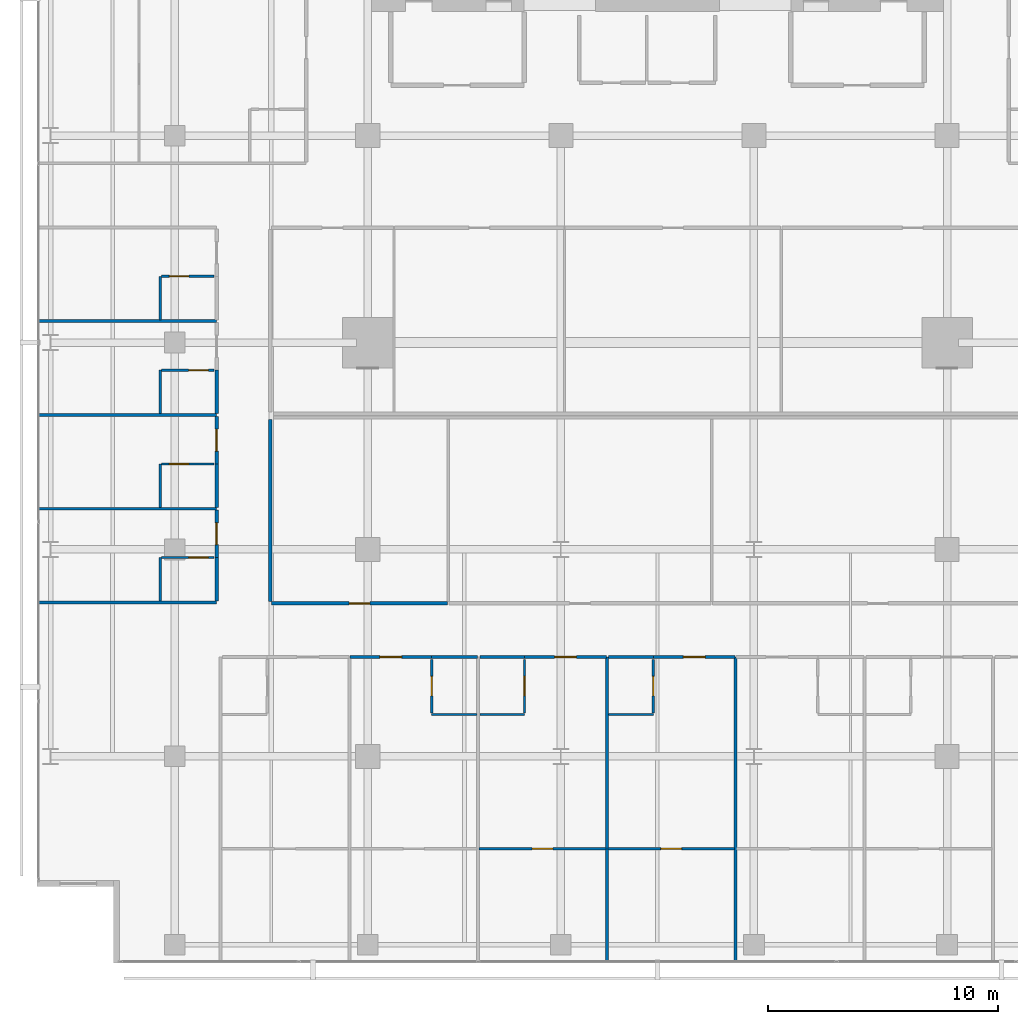
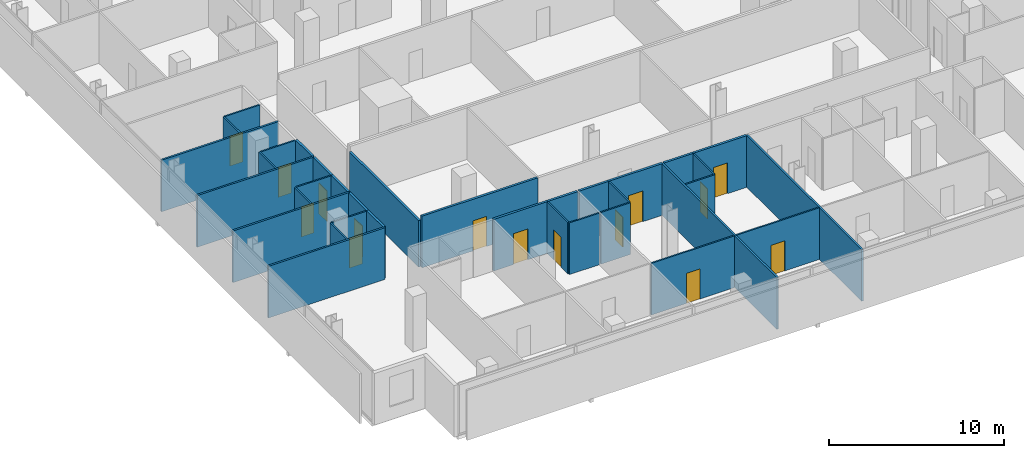
# One storey, part 33 of 41: 35 walls, 15 doors, 15 openings.
"""IFC4 building model written with IfcOpenShell, lengths in metres."""

from ifc_helpers import new_model, si_unit, direction, frame, frame_2d, origin, place, context, subcontext, project, spatial, rectangle, extrude, material, layer, layer_set, type_object, element, fill, save


model = new_model("IFC4")

# Units and contexts
model_context = context("Model", 3, precision=1e-05, world=origin(), true_north=direction((0.0, 1.0)))
body_context = subcontext(model_context, "Body", "Model", "MODEL_VIEW")
ifc_project = project(units=[si_unit("LENGTHUNIT", "METRE"), si_unit("AREAUNIT", "SQUARE_METRE"), si_unit("VOLUMEUNIT", "CUBIC_METRE"), si_unit("PLANEANGLEUNIT", "RADIAN"), si_unit("MASSUNIT", "GRAM", prefix="KILO")], contexts=[model_context])

# Site, building, storey
site_placement = place(None, origin())
site = spatial("IfcSite", under=ifc_project, at=site_placement, CompositionType="ELEMENT")
building_placement = place(site_placement, origin())
building = spatial("IfcBuilding", under=site, at=building_placement, Name="Maruvema Waterfront Hotel and Observation Tower", CompositionType="ELEMENT")
storey_placement = place(building_placement, frame((0.0, 0.0, 61.60009765625)))
storey = spatial("IfcBuildingStorey", under=building, at=storey_placement, Name="L14", CompositionType="ELEMENT", Elevation=61.60009765625)

# Wall
ifc_material_1 = material(Name="Twin-stud acoustic gypsum drywall", Category="gypsum")
ifc_layer_1 = layer(ifc_material_1, 0.14990234375, Name="Acoustic Corridor and Suite Demising Wall 150 mm")
ifc_layer_set_1 = layer_set([ifc_layer_1], Name="Twin-stud acoustic gypsum drywall")
wall_type_1 = type_object("IfcWallType", Name="Acoustic Corridor and Suite Demising Wall 150 mm", PredefinedType="PARTITIONING", material=ifc_layer_set_1)
wall_1_placement = place(storey_placement, frame((20.949951171875, 15.72998046875, 0.0), z_axis=(0.0, 0.0, 1.0), x_axis=(0.0, 1.0, 0.0)))
element("IfcWall", 1, at=wall_1_placement, inside=storey, type_object=wall_type_1, Name="L14 L14-INTS West Wall 033", PredefinedType="PARTITIONING", context=body_context, shape_type="SweptSolid", body=[
    extrude(rectangle(XDim=7.929931640625, YDim=0.14990234375, at=frame_2d((3.96484375, 0.0))), origin(), (0.0, 0.0, 1.0), 3.2548828125),
])

# Wall, opening, door
wall_2_placement = place(storey_placement, frame((21.010009765625, 15.64990234375, 0.0), z_axis=(0.0, 0.0, 1.0), x_axis=(1.0, 0.0, 0.0)))
wall_2 = element("IfcWall", 2, at=wall_2_placement, inside=storey, type_object=wall_type_1, Name="L14 L14-INTS Front 1 035", PredefinedType="PARTITIONING", context=body_context, shape_type="SweptSolid", body=[
    extrude(rectangle(XDim=7.660888671875, YDim=0.14990234375, at=frame_2d((3.83056640625, 0.0))), origin(), (0.0, 0.0, 1.0), 3.60986328125),
])
opening_1_placement = place(wall_2_placement, frame((3.380615234375, 0.0, 0.0)))
opening_1 = element("IfcOpeningElement", 3, at=opening_1_placement, cuts=wall_2, Name="Opening DR-090", PredefinedType="OPENING", context=body_context, shape_type="SweptSolid", body=[
    extrude(rectangle(XDim=0.89990234375, YDim=2.10009765625, at=frame_2d((0.449951171875, 1.050048828125))), frame((0.0, 0.0849609375, 0.0), z_axis=(0.0, -1.0, 0.0), x_axis=(1.0, 0.0, 0.0)), (0.0, 0.0, 1.0), 0.169921875),
])
ifc_material_2 = material(Name="Solid-core lacquered timber leaf", Category="wood")
door_type_1 = type_object("IfcDoorType", Name="Accessible Toilet and Room Door 900x2100 mm", OperationType="NOTDEFINED", PredefinedType="DOOR", material=ifc_material_2)
door_1_placement = place(opening_1_placement, frame((0.89990234375, 0.0, 0.0), z_axis=(0.0, 0.0, 1.0), x_axis=(-1.0, 0.0, 0.0)))
door_1 = element("IfcDoor", 4, at=door_1_placement, inside=storey, type_object=door_type_1, Name="L14 Executive Business Office Door", OperationType="SINGLE_SWING_RIGHT", OverallHeight=2.10009765625, OverallWidth=0.89990234375, PredefinedType="DOOR", context=body_context, shape_type="SweptSolid", body=[
    extrude(rectangle(XDim=0.89990234375, YDim=2.10009765625, at=frame_2d((0.449951171875, 1.050048828125))), frame((0.0, 0.02490234375, 0.0), z_axis=(0.0, -1.0, 0.0), x_axis=(1.0, 0.0, 0.0)), (0.0, 0.0, 1.0), 0.050048828125),
])
fill(opening_1, door_1)

# Wall
wall_3_placement = place(storey_placement, frame((27.97998046875, 13.320068359375, 0.0), z_axis=(0.0, 0.0, 1.0), x_axis=(1.0, 0.0, 0.0)))
element("IfcWall", 5, at=wall_3_placement, inside=storey, type_object=wall_type_1, Name="L14 Bath L14-S2 Back Wall 048", PredefinedType="PARTITIONING", context=body_context, shape_type="SweptSolid", body=[
    extrude(rectangle(XDim=2.0, YDim=0.14990234375, at=frame_2d((1.0, 0.0))), origin(), (0.0, 0.0, 1.0), 3.60986328125),
])

# Wall, opening, door
wall_4_placement = place(storey_placement, frame((24.419921875, 13.320068359375, 0.0), z_axis=(0.0, 0.0, 1.0), x_axis=(1.0, 0.0, 0.0)))
wall_4 = element("IfcWall", 6, at=wall_4_placement, inside=storey, type_object=wall_type_1, Name="L14 Unit L14-S2 Corridor Wall 051", PredefinedType="PARTITIONING", context=body_context, shape_type="SweptSolid", body=[
    extrude(rectangle(XDim=3.56005859375, YDim=0.14990234375, at=frame_2d((1.780029296875, 0.0))), origin(), (0.0, 0.0, 1.0), 3.60986328125),
])
opening_2_placement = place(wall_4_placement, frame((1.304931640625, 0.0, 0.0)))
opening_2 = element("IfcOpeningElement", 7, at=opening_2_placement, cuts=wall_4, Name="Opening DR-095", PredefinedType="OPENING", context=body_context, shape_type="SweptSolid", body=[
    extrude(rectangle(XDim=0.949951171875, YDim=2.14990234375, at=frame_2d((0.47509765625, 1.074951171875))), frame((0.0, 0.0849609375, 0.0), z_axis=(0.0, -1.0, 0.0), x_axis=(1.0, 0.0, 0.0)), (0.0, 0.0, 1.0), 0.169921875),
])
ifc_material_3 = material(Name="Acoustic solid-core hardwood timber leaf", Category="wood")
door_type_2 = type_object("IfcDoorType", Name="Guestroom Entrance Fire Door 950x2150 mm", OperationType="NOTDEFINED", PredefinedType="DOOR", material=ifc_material_3)
door_2_placement = place(opening_2_placement, frame((0.949951171875, 0.0, 0.0), z_axis=(0.0, 0.0, 1.0), x_axis=(-1.0, 0.0, 0.0)))
door_2 = element("IfcDoor", 8, at=door_2_placement, inside=storey, type_object=door_type_2, Name="L14 Unit L14-S2 Entrance Door", OperationType="SINGLE_SWING_LEFT", OverallHeight=2.14990234375, OverallWidth=0.949951171875, PredefinedType="DOOR", context=body_context, shape_type="SweptSolid", body=[
    extrude(rectangle(XDim=0.949951171875, YDim=2.14990234375, at=frame_2d((0.47509765625, 1.074951171875))), frame((0.0, 0.02490234375, 0.0), z_axis=(0.0, -1.0, 0.0), x_axis=(1.0, 0.0, 0.0)), (0.0, 0.0, 1.0), 0.050048828125),
])
fill(opening_2, door_2)

# Wall
wall_5_placement = place(storey_placement, frame((30.080078125, 13.320068359375, 0.0), z_axis=(0.0, 0.0, 1.0), x_axis=(1.0, 0.0, 0.0)))
element("IfcWall", 9, at=wall_5_placement, inside=storey, type_object=wall_type_1, Name="L14 Bath L14-S3 Back Wall 054", PredefinedType="PARTITIONING", context=body_context, shape_type="SweptSolid", body=[
    extrude(rectangle(XDim=1.93994140625, YDim=0.14990234375, at=frame_2d((0.969970703125, 0.0))), origin(), (0.0, 0.0, 1.0), 3.60986328125),
])

# Wall, opening, door
wall_6_placement = place(storey_placement, frame((32.02001953125, 13.320068359375, 0.0), z_axis=(0.0, 0.0, 1.0), x_axis=(1.0, 0.0, 0.0)))
wall_6 = element("IfcWall", 10, at=wall_6_placement, inside=storey, type_object=wall_type_1, Name="L14 Unit L14-S3 Corridor Wall 057", PredefinedType="PARTITIONING", context=body_context, shape_type="SweptSolid", body=[
    extrude(rectangle(XDim=3.56005859375, YDim=0.14990234375, at=frame_2d((1.780029296875, 0.0))), origin(), (0.0, 0.0, 1.0), 3.60986328125),
])
opening_3_placement = place(wall_6_placement, frame((1.304931640625, 0.0, 0.0)))
opening_3 = element("IfcOpeningElement", 11, at=opening_3_placement, cuts=wall_6, Name="Opening DR-095", PredefinedType="OPENING", context=body_context, shape_type="SweptSolid", body=[
    extrude(rectangle(XDim=0.949951171875, YDim=2.14990234375, at=frame_2d((0.47509765625, 1.074951171875))), frame((0.0, 0.0849609375, 0.0), z_axis=(0.0, -1.0, 0.0), x_axis=(1.0, 0.0, 0.0)), (0.0, 0.0, 1.0), 0.169921875),
])
door_3_placement = place(opening_3_placement, frame((0.949951171875, 0.0, 0.0), z_axis=(0.0, 0.0, 1.0), x_axis=(-1.0, 0.0, 0.0)))
door_3 = element("IfcDoor", 12, at=door_3_placement, inside=storey, type_object=door_type_2, Name="L14 Unit L14-S3 Entrance Door", OperationType="SINGLE_SWING_RIGHT", OverallHeight=2.14990234375, OverallWidth=0.949951171875, PredefinedType="DOOR", context=body_context, shape_type="SweptSolid", body=[
    extrude(rectangle(XDim=0.949951171875, YDim=2.14990234375, at=frame_2d((0.47509765625, 1.074951171875))), frame((0.0, 0.02490234375, 0.0), z_axis=(0.0, -1.0, 0.0), x_axis=(1.0, 0.0, 0.0)), (0.0, 0.0, 1.0), 0.050048828125),
])
fill(opening_3, door_3)

# Wall
wall_7_placement = place(storey_placement, frame((35.679931640625, 13.320068359375, 0.0), z_axis=(0.0, 0.0, 1.0), x_axis=(1.0, 0.0, 0.0)))
element("IfcWall", 13, at=wall_7_placement, inside=storey, type_object=wall_type_1, Name="L14 Bath L14-S4 Back Wall 060", PredefinedType="PARTITIONING", context=body_context, shape_type="SweptSolid", body=[
    extrude(rectangle(XDim=1.940185546875, YDim=0.14990234375, at=frame_2d((0.97021484375, 0.0))), origin(), (0.0, 0.0, 1.0), 3.60986328125),
])

# Wall, opening, door
wall_8_placement = place(storey_placement, frame((37.6201171875, 13.320068359375, 0.0), z_axis=(0.0, 0.0, 1.0), x_axis=(1.0, 0.0, 0.0)))
wall_8 = element("IfcWall", 14, at=wall_8_placement, inside=storey, type_object=wall_type_1, Name="L14 Unit L14-S4 Corridor Wall 063", PredefinedType="PARTITIONING", context=body_context, shape_type="SweptSolid", body=[
    extrude(rectangle(XDim=3.559814453125, YDim=0.14990234375, at=frame_2d((1.77978515625, 0.0))), origin(), (0.0, 0.0, 1.0), 3.60986328125),
])
opening_4_placement = place(wall_8_placement, frame((1.304931640625, 0.0, 0.0)))
opening_4 = element("IfcOpeningElement", 15, at=opening_4_placement, cuts=wall_8, Name="Opening DR-095", PredefinedType="OPENING", context=body_context, shape_type="SweptSolid", body=[
    extrude(rectangle(XDim=0.949951171875, YDim=2.14990234375, at=frame_2d((0.47509765625, 1.074951171875))), frame((0.0, 0.0849609375, 0.0), z_axis=(0.0, -1.0, 0.0), x_axis=(1.0, 0.0, 0.0)), (0.0, 0.0, 1.0), 0.169921875),
])
door_4_placement = place(opening_4_placement, frame((0.949951171875, 0.0, 0.0), z_axis=(0.0, 0.0, 1.0), x_axis=(-1.0, 0.0, 0.0)))
door_4 = element("IfcDoor", 16, at=door_4_placement, inside=storey, type_object=door_type_2, Name="L14 Unit L14-S4 Entrance Door", OperationType="SINGLE_SWING_LEFT", OverallHeight=2.14990234375, OverallWidth=0.949951171875, PredefinedType="DOOR", context=body_context, shape_type="SweptSolid", body=[
    extrude(rectangle(XDim=0.949951171875, YDim=2.14990234375, at=frame_2d((0.47509765625, 1.074951171875))), frame((0.0, 0.02490234375, 0.0), z_axis=(0.0, -1.0, 0.0), x_axis=(1.0, 0.0, 0.0)), (0.0, 0.0, 1.0), 0.050048828125),
])
fill(opening_4, door_4)

# Wall
wall_9_placement = place(storey_placement, frame((18.6201171875, 15.760009765625, 0.0), z_axis=(0.0, 0.0, 1.0), x_axis=(0.0, 1.0, 0.0)))
element("IfcWall", 17, at=wall_9_placement, inside=storey, type_object=wall_type_1, Name="L14 Bath L14-W1 Wall 086", PredefinedType="PARTITIONING", context=body_context, shape_type="SweptSolid", body=[
    extrude(rectangle(XDim=1.889892578125, YDim=0.14990234375, at=frame_2d((0.94482421875, 0.0))), origin(), (0.0, 0.0, 1.0), 3.60986328125),
])

# Wall, opening, door
wall_10_placement = place(storey_placement, frame((18.6201171875, 17.64990234375, 0.0), z_axis=(0.0, 0.0, 1.0), x_axis=(0.0, 1.0, 0.0)))
wall_10 = element("IfcWall", 18, at=wall_10_placement, inside=storey, type_object=wall_type_1, Name="L14 Room L14-W1 Corridor Wall 087", PredefinedType="PARTITIONING", context=body_context, shape_type="SweptSolid", body=[
    extrude(rectangle(XDim=2.06005859375, YDim=0.14990234375, at=frame_2d((1.030029296875, 0.0))), origin(), (0.0, 0.0, 1.0), 3.60986328125),
])
opening_5_placement = place(wall_10_placement, frame((0.554931640625, 0.0, 0.0)))
opening_5 = element("IfcOpeningElement", 19, at=opening_5_placement, cuts=wall_10, Name="Opening DR-095", PredefinedType="OPENING", context=body_context, shape_type="SweptSolid", body=[
    extrude(rectangle(XDim=0.949951171875, YDim=2.14990234375, at=frame_2d((0.47509765625, 1.074951171875))), frame((0.0, 0.0849609375, 0.0), z_axis=(0.0, -1.0, 0.0), x_axis=(1.0, 0.0, 0.0)), (0.0, 0.0, 1.0), 0.169921875),
])
door_5_placement = place(opening_5_placement, origin())
door_5 = element("IfcDoor", 20, at=door_5_placement, inside=storey, type_object=door_type_2, Name="L14 Room L14-W1 Entrance Door", OperationType="SINGLE_SWING_RIGHT", OverallHeight=2.14990234375, OverallWidth=0.949951171875, PredefinedType="DOOR", context=body_context, shape_type="SweptSolid", body=[
    extrude(rectangle(XDim=0.949951171875, YDim=2.14990234375, at=frame_2d((0.47509765625, 1.074951171875))), frame((0.0, 0.02490234375, 0.0), z_axis=(0.0, -1.0, 0.0), x_axis=(1.0, 0.0, 0.0)), (0.0, 0.0, 1.0), 0.050048828125),
])
fill(opening_5, door_5)

# Wall
wall_11_placement = place(storey_placement, frame((18.6201171875, 19.830078125, 0.0), z_axis=(0.0, 0.0, 1.0), x_axis=(0.0, 1.0, 0.0)))
element("IfcWall", 21, at=wall_11_placement, inside=storey, type_object=wall_type_1, Name="L14 Bath L14-W2 Wall 096", PredefinedType="PARTITIONING", context=body_context, shape_type="SweptSolid", body=[
    extrude(rectangle(XDim=1.889892578125, YDim=0.14990234375, at=frame_2d((0.94482421875, 0.0))), origin(), (0.0, 0.0, 1.0), 3.60986328125),
])

# Wall, opening, door
wall_12_placement = place(storey_placement, frame((18.6201171875, 21.719970703125, 0.0), z_axis=(0.0, 0.0, 1.0), x_axis=(0.0, 1.0, 0.0)))
wall_12 = element("IfcWall", 22, at=wall_12_placement, inside=storey, type_object=wall_type_1, Name="L14 Room L14-W2 Corridor Wall 097", PredefinedType="PARTITIONING", context=body_context, shape_type="SweptSolid", body=[
    extrude(rectangle(XDim=2.070068359375, YDim=0.14990234375, at=frame_2d((1.03515625, 0.0))), origin(), (0.0, 0.0, 1.0), 3.60986328125),
])
opening_6_placement = place(wall_12_placement, frame((0.56005859375, 0.0, 0.0)))
opening_6 = element("IfcOpeningElement", 23, at=opening_6_placement, cuts=wall_12, Name="Opening DR-095", PredefinedType="OPENING", context=body_context, shape_type="SweptSolid", body=[
    extrude(rectangle(XDim=0.949951171875, YDim=2.14990234375, at=frame_2d((0.47509765625, 1.074951171875))), frame((0.0, 0.0849609375, 0.0), z_axis=(0.0, -1.0, 0.0), x_axis=(1.0, 0.0, 0.0)), (0.0, 0.0, 1.0), 0.169921875),
])
door_6_placement = place(opening_6_placement, origin())
door_6 = element("IfcDoor", 24, at=door_6_placement, inside=storey, type_object=door_type_2, Name="L14 Room L14-W2 Entrance Door", OperationType="SINGLE_SWING_RIGHT", OverallHeight=2.14990234375, OverallWidth=0.949951171875, PredefinedType="DOOR", context=body_context, shape_type="SweptSolid", body=[
    extrude(rectangle(XDim=0.949951171875, YDim=2.14990234375, at=frame_2d((0.47509765625, 1.074951171875))), frame((0.0, 0.02490234375, 0.0), z_axis=(0.0, -1.0, 0.0), x_axis=(1.0, 0.0, 0.0)), (0.0, 0.0, 1.0), 0.050048828125),
])
fill(opening_6, door_6)

# Walls
wall_13_placement = place(storey_placement, frame((18.6201171875, 23.909912109375, 0.0), z_axis=(0.0, 0.0, 1.0), x_axis=(0.0, 1.0, 0.0)))
element("IfcWall", 25, at=wall_13_placement, inside=storey, type_object=wall_type_1, Name="L14 Bath L14-W3 Wall 106", PredefinedType="PARTITIONING", context=body_context, shape_type="SweptSolid", body=[
    extrude(rectangle(XDim=1.89013671875, YDim=0.14990234375, at=frame_2d((0.945068359375, 0.0))), origin(), (0.0, 0.0, 1.0), 3.60986328125),
])
ifc_material_4 = material(Name="Moisture-resistant cement-board drywall", Category="gypsum")
ifc_layer_2 = layer(ifc_material_4, 0.10009765625, Name="En-Suite Moisture-Resistant Partition 100 mm")
ifc_layer_set_2 = layer_set([ifc_layer_2], Name="Moisture-resistant cement-board drywall")
wall_type_2 = type_object("IfcWallType", Name="En-Suite Moisture-Resistant Partition 100 mm", PredefinedType="PARTITIONING", material=ifc_layer_set_2)
wall_14_placement = place(storey_placement, frame((27.97998046875, 10.820068359375, 0.0), z_axis=(0.0, 0.0, 1.0), x_axis=(1.0, 0.0, 0.0)))
element("IfcWall", 26, at=wall_14_placement, inside=storey, type_object=wall_type_2, Name="L14 En-Suite L14-S2 South 049", PredefinedType="PARTITIONING", context=body_context, shape_type="SweptSolid", body=[
    extrude(rectangle(XDim=1.97998046875, YDim=0.10009765625, at=frame_2d((0.989990234375, 0.0))), origin(), (0.0, 0.0, 1.0), 3.60986328125),
])

# Wall, opening, door
wall_15_placement = place(storey_placement, frame((27.97998046875, 10.8798828125, 0.0), z_axis=(0.0, 0.0, 1.0), x_axis=(0.0, 1.0, 0.0)))
wall_15 = element("IfcWall", 27, at=wall_15_placement, inside=storey, type_object=wall_type_2, Name="L14 En-Suite L14-S2 West 050", PredefinedType="PARTITIONING", context=body_context, shape_type="SweptSolid", body=[
    extrude(rectangle(XDim=2.340087890625, YDim=0.10009765625, at=frame_2d((1.169921875, 0.0))), origin(), (0.0, 0.0, 1.0), 3.60986328125),
])
opening_7_placement = place(wall_15_placement, frame((0.7451171875, 0.0, 0.0)))
opening_7 = element("IfcOpeningElement", 28, at=opening_7_placement, cuts=wall_15, Name="Opening DR-085", PredefinedType="OPENING", context=body_context, shape_type="SweptSolid", body=[
    extrude(rectangle(XDim=0.85009765625, YDim=2.10009765625, at=frame_2d((0.425048828125, 1.050048828125))), frame((0.0, 0.06005859375, 0.0), z_axis=(0.0, -1.0, 0.0), x_axis=(1.0, 0.0, 0.0)), (0.0, 0.0, 1.0), 0.1201171875),
])
ifc_material_5 = material(Name="Moisture-resistant solid timber leaf", Category="wood")
door_type_3 = type_object("IfcDoorType", Name="En-Suite Bathroom Door 850x2100 mm", OperationType="NOTDEFINED", PredefinedType="DOOR", material=ifc_material_5)
door_7_placement = place(opening_7_placement, origin())
door_7 = element("IfcDoor", 29, at=door_7_placement, inside=storey, type_object=door_type_3, Name="L14 En-Suite L14-S2 Door", OperationType="SINGLE_SWING_RIGHT", OverallHeight=2.10009765625, OverallWidth=0.85009765625, PredefinedType="DOOR", context=body_context, shape_type="SweptSolid", body=[
    extrude(rectangle(XDim=0.85009765625, YDim=2.10009765625, at=frame_2d((0.425048828125, 1.050048828125))), frame((0.0, 0.02490234375, 0.0), z_axis=(0.0, -1.0, 0.0), x_axis=(1.0, 0.0, 0.0)), (0.0, 0.0, 1.0), 0.050048828125),
])
fill(opening_7, door_7)

# Wall
wall_16_placement = place(storey_placement, frame((30.080078125, 10.820068359375, 0.0), z_axis=(0.0, 0.0, 1.0), x_axis=(1.0, 0.0, 0.0)))
element("IfcWall", 30, at=wall_16_placement, inside=storey, type_object=wall_type_2, Name="L14 En-Suite L14-S3 South 055", PredefinedType="PARTITIONING", context=body_context, shape_type="SweptSolid", body=[
    extrude(rectangle(XDim=1.93994140625, YDim=0.10009765625, at=frame_2d((0.969970703125, 0.0))), origin(), (0.0, 0.0, 1.0), 3.60986328125),
])

# Wall, opening, door
wall_17_placement = place(storey_placement, frame((32.02001953125, 10.8798828125, 0.0), z_axis=(0.0, 0.0, 1.0), x_axis=(0.0, 1.0, 0.0)))
wall_17 = element("IfcWall", 31, at=wall_17_placement, inside=storey, type_object=wall_type_2, Name="L14 En-Suite L14-S3 East 056", PredefinedType="PARTITIONING", context=body_context, shape_type="SweptSolid", body=[
    extrude(rectangle(XDim=2.340087890625, YDim=0.10009765625, at=frame_2d((1.169921875, 0.0))), origin(), (0.0, 0.0, 1.0), 3.60986328125),
])
opening_8_placement = place(wall_17_placement, frame((0.7451171875, 0.0, 0.0)))
opening_8 = element("IfcOpeningElement", 32, at=opening_8_placement, cuts=wall_17, Name="Opening DR-085", PredefinedType="OPENING", context=body_context, shape_type="SweptSolid", body=[
    extrude(rectangle(XDim=0.85009765625, YDim=2.10009765625, at=frame_2d((0.425048828125, 1.050048828125))), frame((0.0, 0.06005859375, 0.0), z_axis=(0.0, -1.0, 0.0), x_axis=(1.0, 0.0, 0.0)), (0.0, 0.0, 1.0), 0.1201171875),
])
door_8_placement = place(opening_8_placement, frame((0.85009765625, 0.0, 0.0), z_axis=(0.0, 0.0, 1.0), x_axis=(-1.0, 0.0, 0.0)))
door_8 = element("IfcDoor", 33, at=door_8_placement, inside=storey, type_object=door_type_3, Name="L14 En-Suite L14-S3 Door", OperationType="SINGLE_SWING_LEFT", OverallHeight=2.10009765625, OverallWidth=0.85009765625, PredefinedType="DOOR", context=body_context, shape_type="SweptSolid", body=[
    extrude(rectangle(XDim=0.85009765625, YDim=2.10009765625, at=frame_2d((0.425048828125, 1.050048828125))), frame((0.0, 0.02490234375, 0.0), z_axis=(0.0, -1.0, 0.0), x_axis=(1.0, 0.0, 0.0)), (0.0, 0.0, 1.0), 0.050048828125),
])
fill(opening_8, door_8)

wall_18_placement = place(storey_placement, frame((30.0400390625, 4.977294921875, 0.0), z_axis=(0.0, 0.0, 1.0), x_axis=(1.0, 0.0, 0.0)))
wall_18 = element("IfcWall", 34, at=wall_18_placement, inside=storey, type_object=wall_type_2, Name="L14 Suite L14-S3 Split 058", PredefinedType="PARTITIONING", context=body_context, shape_type="SweptSolid", body=[
    extrude(rectangle(XDim=5.52001953125, YDim=0.10009765625, at=frame_2d((2.760009765625, 0.0))), origin(), (0.0, 0.0, 1.0), 3.60986328125),
])
opening_9_placement = place(wall_18_placement, frame((2.31005859375, 0.0, 0.0)))
opening_9 = element("IfcOpeningElement", 35, at=opening_9_placement, cuts=wall_18, Name="Opening DR-090", PredefinedType="OPENING", context=body_context, shape_type="SweptSolid", body=[
    extrude(rectangle(XDim=0.89990234375, YDim=2.10009765625, at=frame_2d((0.449951171875, 1.050048828125))), frame((0.0, 0.06005859375, 0.0), z_axis=(0.0, -1.0, 0.0), x_axis=(1.0, 0.0, 0.0)), (0.0, 0.0, 1.0), 0.1201171875),
])
door_9_placement = place(opening_9_placement, frame((0.89990234375, 0.0, 0.0), z_axis=(0.0, 0.0, 1.0), x_axis=(-1.0, 0.0, 0.0)))
door_9 = element("IfcDoor", 36, at=door_9_placement, inside=storey, type_object=door_type_1, Name="L14 Suite L14-S3 Bedroom Door", OperationType="SINGLE_SWING_LEFT", OverallHeight=2.10009765625, OverallWidth=0.89990234375, PredefinedType="DOOR", context=body_context, shape_type="SweptSolid", body=[
    extrude(rectangle(XDim=0.89990234375, YDim=2.10009765625, at=frame_2d((0.449951171875, 1.050048828125))), frame((0.0, 0.02490234375, 0.0), z_axis=(0.0, -1.0, 0.0), x_axis=(1.0, 0.0, 0.0)), (0.0, 0.0, 1.0), 0.050048828125),
])
fill(opening_9, door_9)

# Wall
wall_19_placement = place(storey_placement, frame((35.679931640625, 10.820068359375, 0.0), z_axis=(0.0, 0.0, 1.0), x_axis=(1.0, 0.0, 0.0)))
element("IfcWall", 37, at=wall_19_placement, inside=storey, type_object=wall_type_2, Name="L14 En-Suite L14-S4 South 061", PredefinedType="PARTITIONING", context=body_context, shape_type="SweptSolid", body=[
    extrude(rectangle(XDim=1.940185546875, YDim=0.10009765625, at=frame_2d((0.97021484375, 0.0))), origin(), (0.0, 0.0, 1.0), 3.60986328125),
])

# Wall, opening, door
wall_20_placement = place(storey_placement, frame((37.6201171875, 10.8798828125, 0.0), z_axis=(0.0, 0.0, 1.0), x_axis=(0.0, 1.0, 0.0)))
wall_20 = element("IfcWall", 38, at=wall_20_placement, inside=storey, type_object=wall_type_2, Name="L14 En-Suite L14-S4 East 062", PredefinedType="PARTITIONING", context=body_context, shape_type="SweptSolid", body=[
    extrude(rectangle(XDim=2.340087890625, YDim=0.10009765625, at=frame_2d((1.169921875, 0.0))), origin(), (0.0, 0.0, 1.0), 3.60986328125),
])
opening_10_placement = place(wall_20_placement, frame((0.7451171875, 0.0, 0.0)))
opening_10 = element("IfcOpeningElement", 39, at=opening_10_placement, cuts=wall_20, Name="Opening DR-085", PredefinedType="OPENING", context=body_context, shape_type="SweptSolid", body=[
    extrude(rectangle(XDim=0.85009765625, YDim=2.10009765625, at=frame_2d((0.425048828125, 1.050048828125))), frame((0.0, 0.06005859375, 0.0), z_axis=(0.0, -1.0, 0.0), x_axis=(1.0, 0.0, 0.0)), (0.0, 0.0, 1.0), 0.1201171875),
])
door_10_placement = place(opening_10_placement, frame((0.85009765625, 0.0, 0.0), z_axis=(0.0, 0.0, 1.0), x_axis=(-1.0, 0.0, 0.0)))
door_10 = element("IfcDoor", 40, at=door_10_placement, inside=storey, type_object=door_type_3, Name="L14 En-Suite L14-S4 Door", OperationType="SINGLE_SWING_RIGHT", OverallHeight=2.10009765625, OverallWidth=0.85009765625, PredefinedType="DOOR", context=body_context, shape_type="SweptSolid", body=[
    extrude(rectangle(XDim=0.85009765625, YDim=2.10009765625, at=frame_2d((0.425048828125, 1.050048828125))), frame((0.0, 0.02490234375, 0.0), z_axis=(0.0, -1.0, 0.0), x_axis=(1.0, 0.0, 0.0)), (0.0, 0.0, 1.0), 0.050048828125),
])
fill(opening_10, door_10)

wall_21_placement = place(storey_placement, frame((35.639892578125, 4.977294921875, 0.0), z_axis=(0.0, 0.0, 1.0), x_axis=(1.0, 0.0, 0.0)))
wall_21 = element("IfcWall", 41, at=wall_21_placement, inside=storey, type_object=wall_type_2, Name="L14 Suite L14-S4 Split 064", PredefinedType="PARTITIONING", context=body_context, shape_type="SweptSolid", body=[
    extrude(rectangle(XDim=5.52001953125, YDim=0.10009765625, at=frame_2d((2.760009765625, 0.0))), origin(), (0.0, 0.0, 1.0), 3.60986328125),
])
opening_11_placement = place(wall_21_placement, frame((2.31005859375, 0.0, 0.0)))
opening_11 = element("IfcOpeningElement", 42, at=opening_11_placement, cuts=wall_21, Name="Opening DR-090", PredefinedType="OPENING", context=body_context, shape_type="SweptSolid", body=[
    extrude(rectangle(XDim=0.89990234375, YDim=2.10009765625, at=frame_2d((0.449951171875, 1.050048828125))), frame((0.0, 0.06005859375, 0.0), z_axis=(0.0, -1.0, 0.0), x_axis=(1.0, 0.0, 0.0)), (0.0, 0.0, 1.0), 0.1201171875),
])
door_11_placement = place(opening_11_placement, frame((0.89990234375, 0.0, 0.0), z_axis=(0.0, 0.0, 1.0), x_axis=(-1.0, 0.0, 0.0)))
door_11 = element("IfcDoor", 43, at=door_11_placement, inside=storey, type_object=door_type_1, Name="L14 Suite L14-S4 Bedroom Door", OperationType="SINGLE_SWING_RIGHT", OverallHeight=2.10009765625, OverallWidth=0.89990234375, PredefinedType="DOOR", context=body_context, shape_type="SweptSolid", body=[
    extrude(rectangle(XDim=0.89990234375, YDim=2.10009765625, at=frame_2d((0.449951171875, 1.050048828125))), frame((0.0, 0.02490234375, 0.0), z_axis=(0.0, -1.0, 0.0), x_axis=(1.0, 0.0, 0.0)), (0.0, 0.0, 1.0), 0.050048828125),
])
fill(opening_11, door_11)

# Wall
wall_22_placement = place(storey_placement, frame((16.169921875, 15.760009765625, 0.0), z_axis=(0.0, 0.0, 1.0), x_axis=(0.0, 1.0, 0.0)))
element("IfcWall", 44, at=wall_22_placement, inside=storey, type_object=wall_type_2, Name="L14 En-Suite L14-W1 W 088", PredefinedType="PARTITIONING", context=body_context, shape_type="SweptSolid", body=[
    extrude(rectangle(XDim=1.889892578125, YDim=0.10009765625, at=frame_2d((0.94482421875, 0.0))), origin(), (0.0, 0.0, 1.0), 3.60986328125),
])

# Wall, opening, door
wall_23_placement = place(storey_placement, frame((16.219970703125, 17.64990234375, 0.0), z_axis=(0.0, 0.0, 1.0), x_axis=(1.0, 0.0, 0.0)))
wall_23 = element("IfcWall", 45, at=wall_23_placement, inside=storey, type_object=wall_type_2, Name="L14 En-Suite L14-W1 N 089", PredefinedType="PARTITIONING", context=body_context, shape_type="SweptSolid", body=[
    extrude(rectangle(XDim=2.300048828125, YDim=0.10009765625, at=frame_2d((1.14990234375, 0.0))), origin(), (0.0, 0.0, 1.0), 3.60986328125),
])
opening_12_placement = place(wall_23_placement, frame((1.18994140625, 0.0, 0.0)))
opening_12 = element("IfcOpeningElement", 46, at=opening_12_placement, cuts=wall_23, Name="Opening DR-085", PredefinedType="OPENING", context=body_context, shape_type="SweptSolid", body=[
    extrude(rectangle(XDim=0.85009765625, YDim=2.10009765625, at=frame_2d((0.425048828125, 1.050048828125))), frame((0.0, 0.06005859375, 0.0), z_axis=(0.0, -1.0, 0.0), x_axis=(1.0, 0.0, 0.0)), (0.0, 0.0, 1.0), 0.1201171875),
])
door_12_placement = place(opening_12_placement, origin())
door_12 = element("IfcDoor", 47, at=door_12_placement, inside=storey, type_object=door_type_3, Name="L14 En-Suite L14-W1 Door", OperationType="SINGLE_SWING_LEFT", OverallHeight=2.10009765625, OverallWidth=0.85009765625, PredefinedType="DOOR", context=body_context, shape_type="SweptSolid", body=[
    extrude(rectangle(XDim=0.85009765625, YDim=2.10009765625, at=frame_2d((0.425048828125, 1.050048828125))), frame((0.0, 0.02490234375, 0.0), z_axis=(0.0, -1.0, 0.0), x_axis=(1.0, 0.0, 0.0)), (0.0, 0.0, 1.0), 0.050048828125),
])
fill(opening_12, door_12)

# Wall
wall_24_placement = place(storey_placement, frame((16.169921875, 19.830078125, 0.0), z_axis=(0.0, 0.0, 1.0), x_axis=(0.0, 1.0, 0.0)))
element("IfcWall", 48, at=wall_24_placement, inside=storey, type_object=wall_type_2, Name="L14 En-Suite L14-W2 W 098", PredefinedType="PARTITIONING", context=body_context, shape_type="SweptSolid", body=[
    extrude(rectangle(XDim=1.889892578125, YDim=0.10009765625, at=frame_2d((0.94482421875, 0.0))), origin(), (0.0, 0.0, 1.0), 3.60986328125),
])

# Wall, opening, door
wall_25_placement = place(storey_placement, frame((16.219970703125, 21.719970703125, 0.0), z_axis=(0.0, 0.0, 1.0), x_axis=(1.0, 0.0, 0.0)))
wall_25 = element("IfcWall", 49, at=wall_25_placement, inside=storey, type_object=wall_type_2, Name="L14 En-Suite L14-W2 N 099", PredefinedType="PARTITIONING", context=body_context, shape_type="SweptSolid", body=[
    extrude(rectangle(XDim=2.300048828125, YDim=0.10009765625, at=frame_2d((1.14990234375, 0.0))), origin(), (0.0, 0.0, 1.0), 3.60986328125),
])
opening_13_placement = place(wall_25_placement, frame((0.35009765625, 0.0, 0.0)))
opening_13 = element("IfcOpeningElement", 50, at=opening_13_placement, cuts=wall_25, Name="Opening DR-085", PredefinedType="OPENING", context=body_context, shape_type="SweptSolid", body=[
    extrude(rectangle(XDim=0.85009765625, YDim=2.10009765625, at=frame_2d((0.425048828125, 1.050048828125))), frame((0.0, 0.06005859375, 0.0), z_axis=(0.0, -1.0, 0.0), x_axis=(1.0, 0.0, 0.0)), (0.0, 0.0, 1.0), 0.1201171875),
])
door_13_placement = place(opening_13_placement, origin())
door_13 = element("IfcDoor", 51, at=door_13_placement, inside=storey, type_object=door_type_3, Name="L14 En-Suite L14-W2 Door", OperationType="SINGLE_SWING_LEFT", OverallHeight=2.10009765625, OverallWidth=0.85009765625, PredefinedType="DOOR", context=body_context, shape_type="SweptSolid", body=[
    extrude(rectangle(XDim=0.85009765625, YDim=2.10009765625, at=frame_2d((0.425048828125, 1.050048828125))), frame((0.0, 0.02490234375, 0.0), z_axis=(0.0, -1.0, 0.0), x_axis=(1.0, 0.0, 0.0)), (0.0, 0.0, 1.0), 0.050048828125),
])
fill(opening_13, door_13)

# Wall
wall_26_placement = place(storey_placement, frame((16.169921875, 23.909912109375, 0.0), z_axis=(0.0, 0.0, 1.0), x_axis=(0.0, 1.0, 0.0)))
element("IfcWall", 52, at=wall_26_placement, inside=storey, type_object=wall_type_2, Name="L14 En-Suite L14-W3 W 108", PredefinedType="PARTITIONING", context=body_context, shape_type="SweptSolid", body=[
    extrude(rectangle(XDim=1.89013671875, YDim=0.10009765625, at=frame_2d((0.945068359375, 0.0))), origin(), (0.0, 0.0, 1.0), 3.60986328125),
])

# Wall, opening, door
wall_27_placement = place(storey_placement, frame((16.219970703125, 25.800048828125, 0.0), z_axis=(0.0, 0.0, 1.0), x_axis=(1.0, 0.0, 0.0)))
wall_27 = element("IfcWall", 53, at=wall_27_placement, inside=storey, type_object=wall_type_2, Name="L14 En-Suite L14-W3 N 109", PredefinedType="PARTITIONING", context=body_context, shape_type="SweptSolid", body=[
    extrude(rectangle(XDim=2.300048828125, YDim=0.10009765625, at=frame_2d((1.14990234375, 0.0))), origin(), (0.0, 0.0, 1.0), 3.60986328125),
])
opening_14_placement = place(wall_27_placement, frame((1.18994140625, 0.0, 0.0)))
opening_14 = element("IfcOpeningElement", 54, at=opening_14_placement, cuts=wall_27, Name="Opening DR-085", PredefinedType="OPENING", context=body_context, shape_type="SweptSolid", body=[
    extrude(rectangle(XDim=0.85009765625, YDim=2.10009765625, at=frame_2d((0.425048828125, 1.050048828125))), frame((0.0, 0.06005859375, 0.0), z_axis=(0.0, -1.0, 0.0), x_axis=(1.0, 0.0, 0.0)), (0.0, 0.0, 1.0), 0.1201171875),
])
door_14_placement = place(opening_14_placement, origin())
door_14 = element("IfcDoor", 55, at=door_14_placement, inside=storey, type_object=door_type_3, Name="L14 En-Suite L14-W3 Door", OperationType="SINGLE_SWING_LEFT", OverallHeight=2.10009765625, OverallWidth=0.85009765625, PredefinedType="DOOR", context=body_context, shape_type="SweptSolid", body=[
    extrude(rectangle(XDim=0.85009765625, YDim=2.10009765625, at=frame_2d((0.425048828125, 1.050048828125))), frame((0.0, 0.02490234375, 0.0), z_axis=(0.0, -1.0, 0.0), x_axis=(1.0, 0.0, 0.0)), (0.0, 0.0, 1.0), 0.050048828125),
])
fill(opening_14, door_14)

# Wall
wall_28_placement = place(storey_placement, frame((16.169921875, 27.989990234375, 0.0), z_axis=(0.0, 0.0, 1.0), x_axis=(0.0, 1.0, 0.0)))
element("IfcWall", 56, at=wall_28_placement, inside=storey, type_object=wall_type_2, Name="L14 En-Suite L14-W4 W 118", PredefinedType="PARTITIONING", context=body_context, shape_type="SweptSolid", body=[
    extrude(rectangle(XDim=1.889892578125, YDim=0.10009765625, at=frame_2d((0.94482421875, 0.0))), origin(), (0.0, 0.0, 1.0), 3.60986328125),
])

# Wall, opening, door
wall_29_placement = place(storey_placement, frame((16.219970703125, 29.8798828125, 0.0), z_axis=(0.0, 0.0, 1.0), x_axis=(1.0, 0.0, 0.0)))
wall_29 = element("IfcWall", 57, at=wall_29_placement, inside=storey, type_object=wall_type_2, Name="L14 En-Suite L14-W4 N 119", PredefinedType="PARTITIONING", context=body_context, shape_type="SweptSolid", body=[
    extrude(rectangle(XDim=2.300048828125, YDim=0.10009765625, at=frame_2d((1.14990234375, 0.0))), origin(), (0.0, 0.0, 1.0), 3.60986328125),
])
opening_15_placement = place(wall_29_placement, frame((0.35009765625, 0.0, 0.0)))
opening_15 = element("IfcOpeningElement", 58, at=opening_15_placement, cuts=wall_29, Name="Opening DR-085", PredefinedType="OPENING", context=body_context, shape_type="SweptSolid", body=[
    extrude(rectangle(XDim=0.85009765625, YDim=2.10009765625, at=frame_2d((0.425048828125, 1.050048828125))), frame((0.0, 0.06005859375, 0.0), z_axis=(0.0, -1.0, 0.0), x_axis=(1.0, 0.0, 0.0)), (0.0, 0.0, 1.0), 0.1201171875),
])
door_15_placement = place(opening_15_placement, origin())
door_15 = element("IfcDoor", 59, at=door_15_placement, inside=storey, type_object=door_type_3, Name="L14 En-Suite L14-W4 Door", OperationType="SINGLE_SWING_LEFT", OverallHeight=2.10009765625, OverallWidth=0.85009765625, PredefinedType="DOOR", context=body_context, shape_type="SweptSolid", body=[
    extrude(rectangle(XDim=0.85009765625, YDim=2.10009765625, at=frame_2d((0.425048828125, 1.050048828125))), frame((0.0, 0.02490234375, 0.0), z_axis=(0.0, -1.0, 0.0), x_axis=(1.0, 0.0, 0.0)), (0.0, 0.0, 1.0), 0.050048828125),
])
fill(opening_15, door_15)

# Walls
ifc_material_6 = material(Name="Acoustic gypsum plasterboard drywall", Category="gypsum")
ifc_layer_3 = layer(ifc_material_6, 0.125, Name="Guestroom Acoustic Demising Wall 125 mm")
ifc_layer_set_3 = layer_set([ifc_layer_3], Name="Acoustic gypsum plasterboard drywall")
wall_type_3 = type_object("IfcWallType", Name="Guestroom Acoustic Demising Wall 125 mm", PredefinedType="PARTITIONING", material=ifc_layer_set_3)
for number, where, z_axis, x_axis, name in (
    (60, (35.60009765625, 0.10009765625, 0.0), (0.0, 0.0, 1.0), (0.0, 1.0, 0.0), "L14 S Demising 4 059"),
    (61, (41.199951171875, 0.10009765625, 0.0), (0.0, 0.0, 1.0), (0.0, 1.0, 0.0), "L14 S Demising 5 065"),
):
    element("IfcWall", number, at=place(storey_placement, frame(where, z_axis=z_axis, x_axis=x_axis)), inside=storey, type_object=wall_type_3, Name=name, PredefinedType="PARTITIONING", context=body_context, shape_type="SweptSolid", body=[
        extrude(rectangle(XDim=13.219970703125, YDim=0.125, at=frame_2d((6.60986328125, 0.0))), origin(), (0.0, 0.0, 1.0), 3.60986328125),
    ])
for number, where, z_axis, x_axis, name in (
    (62, (10.89990234375, 15.699951171875, 0.0), (0.0, 0.0, 1.0), (1.0, 0.0, 0.0), "L14 W Bot End 082"),
    (63, (10.89990234375, 19.77001953125, 0.0), (0.0, 0.0, 1.0), (1.0, 0.0, 0.0), "L14 W Demising 2 094"),
    (64, (10.89990234375, 23.85009765625, 0.0), (0.0, 0.0, 1.0), (1.0, 0.0, 0.0), "L14 W Demising 3 104"),
    (65, (10.89990234375, 27.929931640625, 0.0), (0.0, 0.0, 1.0), (1.0, 0.0, 0.0), "L14 W Demising 4 114"),
):
    element("IfcWall", number, at=place(storey_placement, frame(where, z_axis=z_axis, x_axis=x_axis)), inside=storey, type_object=wall_type_3, Name=name, PredefinedType="PARTITIONING", context=body_context, shape_type="SweptSolid", body=[
        extrude(rectangle(XDim=7.72021484375, YDim=0.125, at=frame_2d((3.860107421875, 0.0))), origin(), (0.0, 0.0, 1.0), 3.60986328125),
    ])

save(model, "model.ifc")
